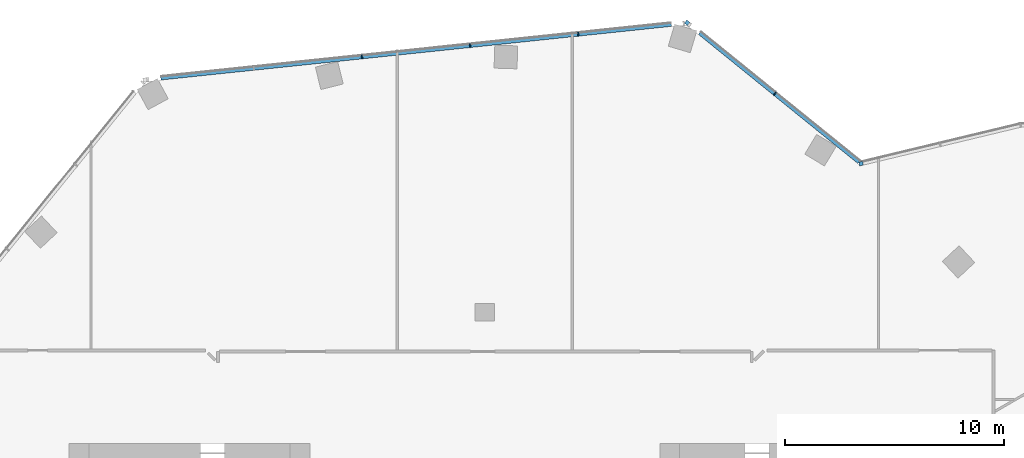
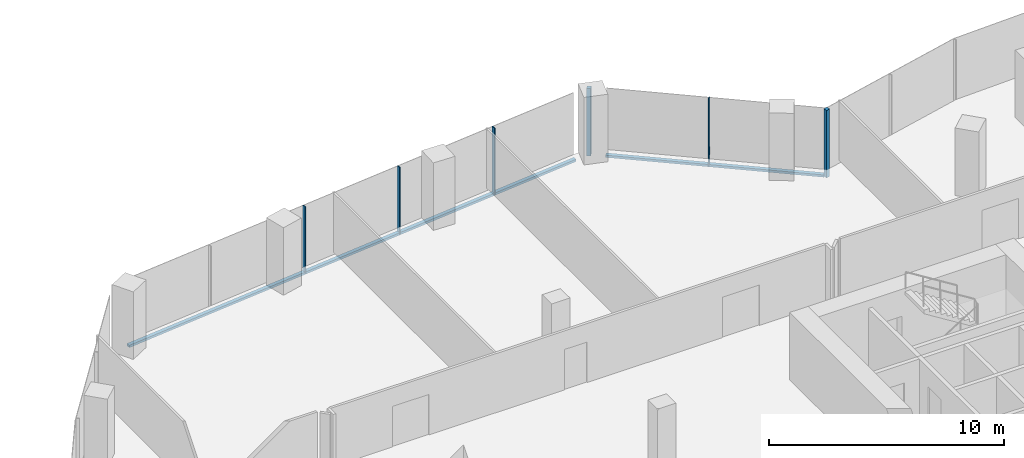
# One storey, part 9 of 25: 8 members, 3 elements without a shape of their own.
"""IFC4 building model written with IfcOpenShell, lengths in metres."""

from ifc_helpers import new_model, si_unit, direction, frame, origin, origin_2d, place, context, subcontext, project, spatial, rectangle, extrude, material, material_profile, profile_set, type_object, element, aggregate, save


model = new_model("IFC4")

# Units and contexts
model_context = context("Model", 3, precision=1e-05, world=origin(), true_north=direction((0.0, 1.0)))
body_context = subcontext(model_context, "Body", "Model", "MODEL_VIEW")
ifc_project = project(units=[si_unit("LENGTHUNIT", "METRE"), si_unit("AREAUNIT", "SQUARE_METRE"), si_unit("VOLUMEUNIT", "CUBIC_METRE"), si_unit("PLANEANGLEUNIT", "RADIAN"), si_unit("MASSUNIT", "GRAM", prefix="KILO")], contexts=[model_context])

# Site, building, storey
site_placement = place(None, origin())
site = spatial("IfcSite", under=ifc_project, at=site_placement, CompositionType="ELEMENT")
building_placement = place(site_placement, origin())
building = spatial("IfcBuilding", under=site, at=building_placement, Name="Orlundy Tower", CompositionType="ELEMENT")
storey_placement = place(building_placement, frame((0.0, 0.0, 217.5)))
storey = spatial("IfcBuildingStorey", under=building, at=storey_placement, Name="L57", CompositionType="ELEMENT", Elevation=217.5)

# Curtain wall, member
ifc_material_1 = material(Name="Aluminium bronze anodised", Category="aluminium")
curtain_wall_type = type_object("IfcCurtainWallType", Name="CW1 wall", PredefinedType="NOTDEFINED", material=ifc_material_1)
curtain_wall_1_placement = place(storey_placement, origin())
curtain_wall_1 = element("IfcCurtainWall", 1, at=curtain_wall_1_placement, inside=storey, type_object=curtain_wall_type, Name="CW1 run 05", PredefinedType="NOTDEFINED")
ifc_material_2 = material(Name="Aluminium bronze anodised", Category="aluminium")
ifc_material_profile_1 = material_profile(ifc_material_2, rectangle(XDim=0.179931640625, YDim=0.179931640625, at=origin_2d()), Name="CW1 corner post 180x180")
ifc_profile_set_1 = profile_set([ifc_material_profile_1], Name="Aluminium bronze anodised")
member_type_1 = type_object("IfcMemberType", Name="CW1 corner post 180x180", PredefinedType="MULLION", material=ifc_profile_set_1)
member_1_placement = place(storey_placement, frame((9.249755859375, 31.228515625, -0.419921875), z_axis=(0.0, 0.0, 1.0), x_axis=(0.629341524139, 0.777128847743, 0.0)))
member_1 = element("IfcMember", 2, at=member_1_placement, type_object=member_type_1, Name="CW1 mullion 20", PredefinedType="MULLION", context=body_context, shape_type="SweptSolid", body=[
    extrude(rectangle(XDim=0.179931640625, YDim=0.179931640625, at=origin_2d()), origin(), (0.0, 0.0, 1.0), 3.5),
])

curtain_wall_2_placement = place(storey_placement, origin())
curtain_wall_2 = element("IfcCurtainWall", 3, at=curtain_wall_2_placement, inside=storey, type_object=curtain_wall_type, Name="CW1 run 06", PredefinedType="NOTDEFINED")
member_2_placement = place(storey_placement, frame((17.2001953125, 24.789794921875, -0.419921875), z_axis=(0.0, 0.0, 1.0), x_axis=(-0.233528608579, 0.972349931339, 0.0)))
member_2 = element("IfcMember", 4, at=member_2_placement, type_object=member_type_1, Name="CW1 mullion 22", PredefinedType="MULLION", context=body_context, shape_type="SweptSolid", body=[
    extrude(rectangle(XDim=0.179931640625, YDim=0.179931640625, at=origin_2d()), origin(), (0.0, 0.0, 1.0), 3.5),
])
aggregate(curtain_wall_2, [member_2])

# Curtain wall, members
curtain_wall_3_placement = place(storey_placement, origin())
curtain_wall_3 = element("IfcCurtainWall", 5, at=curtain_wall_3_placement, inside=storey, type_object=curtain_wall_type, Name="CW1 run 04", PredefinedType="NOTDEFINED")
ifc_material_3 = material(Name="Aluminium bronze anodised", Category="aluminium")
ifc_material_profile_2 = material_profile(ifc_material_3, rectangle(XDim=0.179931640625, YDim=0.050048828125, at=origin_2d()), Name="CW1 mullion 50x180")
ifc_profile_set_2 = profile_set([ifc_material_profile_2], Name="Aluminium bronze anodised")
member_type_2 = type_object("IfcMemberType", Name="CW1 mullion 50x180", PredefinedType="MULLION", material=ifc_profile_set_2)
member_3_placement = place(storey_placement, frame((-5.616943359375, 29.665771484375, -0.419921875), z_axis=(0.0, 0.0, 1.0), x_axis=(-0.104538162943, 0.994520875843, 0.0)))
member_3 = element("IfcMember", 6, at=member_3_placement, type_object=member_type_2, Name="CW1 mullion 17", PredefinedType="MULLION", context=body_context, shape_type="SweptSolid", body=[
    extrude(rectangle(XDim=0.179931640625, YDim=0.050048828125, at=origin_2d()), origin(), (0.0, 0.0, 1.0), 3.5),
])
member_4_placement = place(storey_placement, frame((-0.673828125, 30.185302734375, -0.419921875), z_axis=(0.0, 0.0, 1.0), x_axis=(-0.104538162943, 0.994520875843, 0.0)))
member_4 = element("IfcMember", 7, at=member_4_placement, type_object=member_type_2, Name="CW1 mullion 18", PredefinedType="MULLION", context=body_context, shape_type="SweptSolid", body=[
    extrude(rectangle(XDim=0.179931640625, YDim=0.050048828125, at=origin_2d()), origin(), (0.0, 0.0, 1.0), 3.5),
])
member_5_placement = place(storey_placement, frame((4.269287109375, 30.704833984375, -0.419921875), z_axis=(0.0, 0.0, 1.0), x_axis=(-0.104538162943, 0.994520875843, 0.0)))
member_5 = element("IfcMember", 8, at=member_5_placement, type_object=member_type_2, Name="CW1 mullion 19", PredefinedType="MULLION", context=body_context, shape_type="SweptSolid", body=[
    extrude(rectangle(XDim=0.179931640625, YDim=0.050048828125, at=origin_2d()), origin(), (0.0, 0.0, 1.0), 3.5),
])

# Member
member_6_placement = place(storey_placement, frame((13.256591796875, 27.9833984375, -0.419921875), z_axis=(0.0, 0.0, 1.0), x_axis=(0.629341524139, 0.777128847743, 0.0)))
member_6 = element("IfcMember", 9, at=member_6_placement, type_object=member_type_2, Name="CW1 mullion 21", PredefinedType="MULLION", context=body_context, shape_type="SweptSolid", body=[
    extrude(rectangle(XDim=0.179931640625, YDim=0.050048828125, at=origin_2d()), origin(), (0.0, 0.0, 1.0), 3.5),
])

ifc_material_4 = material(Name="Aluminium bronze anodised", Category="aluminium")
ifc_material_profile_3 = material_profile(ifc_material_4, rectangle(XDim=0.179931640625, YDim=0.1201171875, at=origin_2d()), Name="CW1 transom 180x120")
ifc_profile_set_3 = profile_set([ifc_material_profile_3], Name="Aluminium bronze anodised")
member_type_3 = type_object("IfcMemberType", Name="CW1 transom 180x120", PredefinedType="USERDEFINED", material=ifc_profile_set_3)
member_7_placement = place(storey_placement, frame((-14.81396484375, 28.698974609375, -0.360107421875), z_axis=(0.994520834268, 0.10453855847, 0.0), x_axis=(-0.10453855847, 0.994520834268, 0.0)))
member_7 = element("IfcMember", 10, at=member_7_placement, type_object=member_type_3, Name="CW1 transom", ObjectType="TRANSOM", PredefinedType="USERDEFINED", context=body_context, shape_type="SweptSolid", body=[
    extrude(rectangle(XDim=0.179931640625, YDim=0.1201171875, at=origin_2d()), origin(), (0.0, 0.0, 1.0), 23.46630859375),
])

aggregate(curtain_wall_3, [member_3, member_4, member_5, member_7])

member_8_placement = place(storey_placement, frame((9.81787109375, 30.768310546875, -0.360107421875), z_axis=(0.777132191198, -0.629337395523, 0.0), x_axis=(0.629337395523, 0.777132191198, 0.0)))
member_8 = element("IfcMember", 11, at=member_8_placement, type_object=member_type_3, Name="CW1 transom", ObjectType="TRANSOM", PredefinedType="USERDEFINED", context=body_context, shape_type="SweptSolid", body=[
    extrude(rectangle(XDim=0.179931640625, YDim=0.1201171875, at=origin_2d()), origin(), (0.0, 0.0, 1.0), 9.385986328125),
])

aggregate(curtain_wall_1, [member_1, member_6, member_8])

save(model, "model.ifc")
